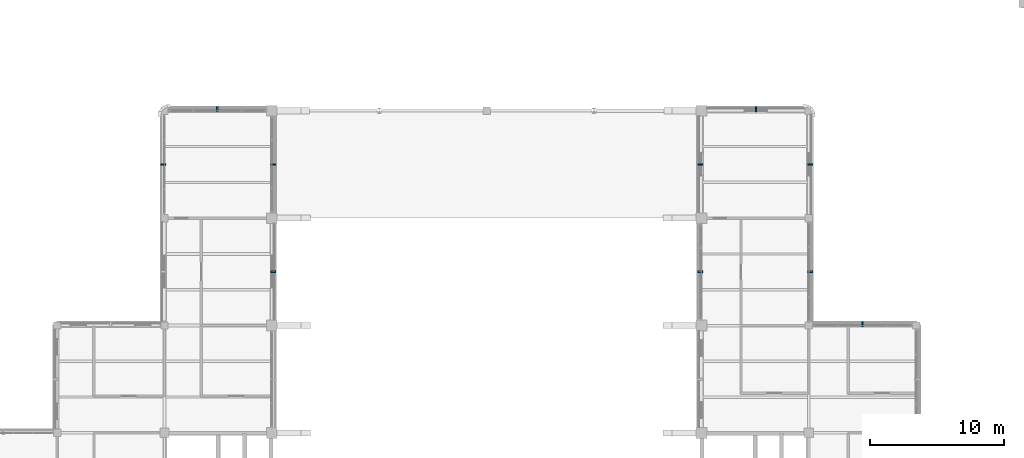
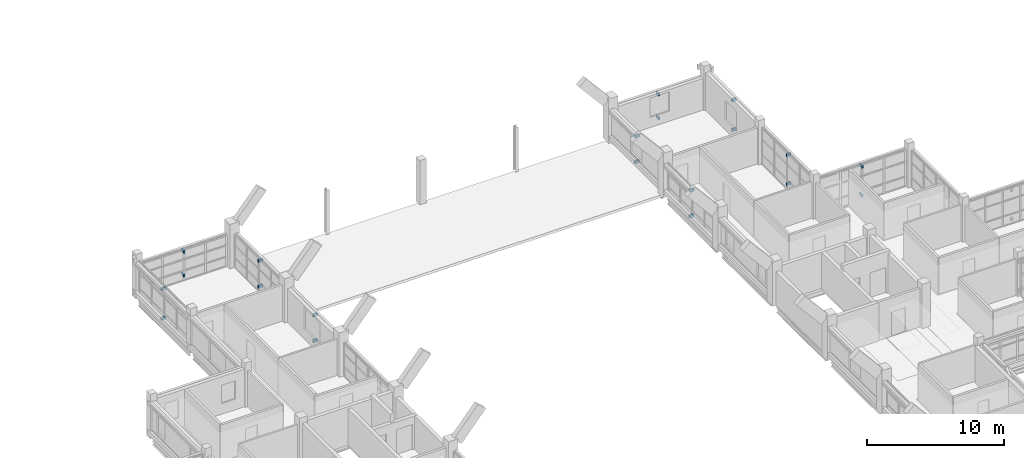
# One storey, part 80 of 92: 20 discrete accessories.
"""IFC4 building model written with IfcOpenShell, lengths in metres."""

import ifcopenshell
import ifcopenshell.guid

model = None  # the IFC model being written
_history = None  # IfcOwnerHistory: only IFC2X3 demands one
_inside = {}  # id of a spatial element -> (the spatial element, [elements in it])
_under = {}  # id of a project, library or spatial element -> (it, [spatial elements below it])
_declared = {}  # id of a project -> (the project, [libraries it declares])
_typed = {}  # id of a type object -> (the type object, [elements of that type])
_made_of = {}  # id of a material, layer set ... -> (it, [elements and type objects made of it])


def new_model(schema):
    """Start an empty IFC model of exactly this schema.

    Asked for "IFC4X3", IfcOpenShell would pick the latest addendum, in which some entities
    have other attributes; the version numbers below select the first issue.
    IFC2X3 requires an IfcOwnerHistory on every rooted entity: one is made here for all.
    """
    global model, _history
    if schema == "IFC4X3":
        model = ifcopenshell.file(schema_version=(4, 3, 0, 0))
    else:
        model = ifcopenshell.file(schema=schema)
    _inside.clear()
    _under.clear()
    _declared.clear()
    _typed.clear()
    _made_of.clear()
    _history = None
    if model.schema == "IFC2X3":
        org = make("IfcOrganization", Name="unknown")
        user = make(
            "IfcPersonAndOrganization",
            ThePerson=make("IfcPerson", FamilyName="unknown"),
            TheOrganization=org,
        )
        app = make(
            "IfcApplication",
            ApplicationDeveloper=org,
            Version="unknown",
            ApplicationFullName="unknown",
            ApplicationIdentifier="unknown",
        )
        _history = make(
            "IfcOwnerHistory",
            OwningUser=user,
            OwningApplication=app,
            ChangeAction="ADDED",
            CreationDate=0,
        )
    return model


def make(cls, **values):
    """One entity of the class cls with the attributes given. An attribute that is None is left unset."""
    return model.create_entity(
        cls, **{name: value for name, value in values.items() if value is not None}
    )


def rooted(cls, **values):
    """An entity with a GlobalId (a new one), such as an element, a storey or a relation."""
    return make(cls, GlobalId=ifcopenshell.guid.new(), OwnerHistory=_history, **values)


def si_unit(unit_type, name, prefix=None):
    """IfcSIUnit, for example si_unit("LENGTHUNIT", "METRE", prefix="MILLI")."""
    return make("IfcSIUnit", UnitType=unit_type, Prefix=prefix, Name=name)


def derived_unit(unit_type, elements):
    """IfcDerivedUnit: a product of units, each with its exponent."""
    return make(
        "IfcDerivedUnit",
        Elements=[
            make("IfcDerivedUnitElement", Unit=unit, Exponent=power)
            for unit, power in elements
        ],
        UnitType=unit_type,
    )


def assignment(units):
    """IfcUnitAssignment: the units of a project."""
    return None if units is None else make("IfcUnitAssignment", Units=units)


def point(xyz):
    """IfcCartesianPoint."""
    return None if xyz is None else make("IfcCartesianPoint", Coordinates=xyz)


def direction(xyz):
    """IfcDirection."""
    return None if xyz is None else make("IfcDirection", DirectionRatios=xyz)


def frame(location, z_axis=None, x_axis=None):
    """IfcAxis2Placement3D, a coordinate frame: its origin and axes. An axis left out is left unset."""
    return make(
        "IfcAxis2Placement3D",
        Location=point(location),
        Axis=direction(z_axis),
        RefDirection=direction(x_axis),
    )


def frame_2d(location, x_axis=None):
    """IfcAxis2Placement2D, a coordinate frame in the plane: its origin and x axis."""
    return make(
        "IfcAxis2Placement2D", Location=point(location), RefDirection=direction(x_axis)
    )


def origin():
    """The frame at (0, 0, 0) with its axes left unset."""
    return frame((0.0, 0.0, 0.0))


def origin_2d():
    """The frame at (0, 0) in the plane with its x axis left unset."""
    return frame_2d((0.0, 0.0))


def place(relative_to, where):
    """IfcLocalPlacement: puts the frame where relative to a parent placement (None: the world)."""
    return make(
        "IfcLocalPlacement", PlacementRelTo=relative_to, RelativePlacement=where
    )


def context(
    kind, dimensions, precision=None, world=None, true_north=None, identifier=None
):
    """IfcGeometricRepresentationContext, for example the 3D "Model" context."""
    return make(
        "IfcGeometricRepresentationContext",
        ContextIdentifier=identifier,
        ContextType=kind,
        CoordinateSpaceDimension=dimensions,
        Precision=precision,
        WorldCoordinateSystem=world,
        TrueNorth=true_north,
    )


def subcontext(parent, identifier, kind, view, scale=None):
    """IfcGeometricRepresentationSubContext, for example "Body" below "Model"."""
    return make(
        "IfcGeometricRepresentationSubContext",
        ContextIdentifier=identifier,
        ContextType=kind,
        ParentContext=parent,
        TargetScale=scale,
        TargetView=view,
    )


def project(units=None, contexts=None):
    """IfcProject with its units and contexts."""
    return rooted(
        "IfcProject",
        Name="project",
        RepresentationContexts=contexts,
        UnitsInContext=assignment(units),
    )


def spatial(cls, under=None, at=None, **own):
    """A site, building, storey or space (cls), placed at a placement, below another one or the project."""
    s = rooted(cls, ObjectPlacement=at, **own)
    if under is not None:
        _under.setdefault(under.id(), (under, []))[1].append(s)
    return s


def profile(cls, at=None, kind="AREA", **sizes):
    """A parametric profile (cls). Its sizes go by their IFC names, for example OverallWidth=200.0."""
    return make(cls, ProfileType=kind, Position=at, **sizes)


def rectangle(**sizes):
    """IfcRectangleProfileDef."""
    return profile("IfcRectangleProfileDef", **sizes)


def extrude(swept, where, along, depth):
    """IfcExtrudedAreaSolid: the profile swept, set in the frame where, extruded along a direction by depth."""
    return make(
        "IfcExtrudedAreaSolid",
        SweptArea=swept,
        Position=where,
        ExtrudedDirection=direction(along),
        Depth=depth,
    )


def shape(context_of_items, identifier, shape_type, items):
    """IfcShapeRepresentation: the items that make up one representation, for example the "Body"."""
    return make(
        "IfcShapeRepresentation",
        ContextOfItems=context_of_items,
        RepresentationIdentifier=identifier,
        RepresentationType=shape_type,
        Items=items,
    )


def material(Name=None, Category=None):
    """IfcMaterial."""
    return make("IfcMaterial", Name=Name, Category=Category)


def made_of(thing, what):
    """Note that an element or type object is made of a material, layer set ...; save() writes the relation."""
    if what is not None:
        _made_of.setdefault(what.id(), (what, []))[1].append(thing)
    return thing


def type_object(cls, material=None, **own):
    """A type object (cls), such as IfcWallType, which elements share."""
    return made_of(rooted(cls, **own), material)


def element(
    cls,
    number,
    at=None,
    inside=None,
    cuts=None,
    type_object=None,
    material=None,
    context=None,
    identifier="Body",
    shape_type=None,
    held_by="IfcProductDefinitionShape",
    body=None,
    shapes=None,
    **own,
):
    """One element of the class cls, such as IfcWall. Its Tag is "e" and its number.

    at: its placement. inside: the storey or other place that contains it. cuts: it is an
    opening in that element (IfcRelVoidsElement). A single representation is given by context,
    identifier, shape_type and body (its items); several are given by shapes. held_by: the class
    of the entity that holds the representations. save() writes the other relations.
    """
    e = rooted(cls, Tag="e%d" % number, ObjectPlacement=at, **own)
    if body is not None:
        shapes = [shape(context, identifier, shape_type, body)]
    if shapes is not None:
        e.Representation = make(held_by, Representations=shapes)
    if inside is not None:
        _inside.setdefault(inside.id(), (inside, []))[1].append(e)
    if cuts is not None:
        rooted(
            "IfcRelVoidsElement", RelatingBuildingElement=cuts, RelatedOpeningElement=e
        )
    if type_object is not None:
        _typed.setdefault(type_object.id(), (type_object, []))[1].append(e)
    return made_of(e, material)


def aggregate(whole, parts):
    """IfcRelAggregates: a whole, such as a stair, and the parts it consists of."""
    return rooted("IfcRelAggregates", RelatingObject=whole, RelatedObjects=parts)


def save(model, path):
    """Write the relations noted so far, then the file.

    IfcRelAggregates (storeys below a building ...), IfcRelContainedInSpatialStructure (elements
    in a storey), IfcRelDefinesByType, IfcRelAssociatesMaterial and IfcRelDeclares: one each for
    every whole, place, type object, material and project.
    """
    for whole, parts in _under.values():
        aggregate(whole, parts)
    for where, things in _inside.values():
        rooted(
            "IfcRelContainedInSpatialStructure",
            RelatedElements=things,
            RelatingStructure=where,
        )
    for kind, things in _typed.values():
        rooted("IfcRelDefinesByType", RelatedObjects=things, RelatingType=kind)
    for what, things in _made_of.values():
        rooted("IfcRelAssociatesMaterial", RelatedObjects=things, RelatingMaterial=what)
    for by, libraries in _declared.values():
        rooted("IfcRelDeclares", RelatingContext=by, RelatedDefinitions=libraries)
    model.write(path)


model = new_model("IFC4")

# Units and contexts
model_context = context("Model", 3, precision=1e-05, world=origin(), true_north=direction((0.0, 1.0)))
body_context = subcontext(model_context, "Body", "Model", "MODEL_VIEW")
ifc_project = project(units=[si_unit("LENGTHUNIT", "METRE"), si_unit("AREAUNIT", "SQUARE_METRE"), si_unit("VOLUMEUNIT", "CUBIC_METRE"), si_unit("PLANEANGLEUNIT", "RADIAN"), si_unit("MASSUNIT", "GRAM", prefix="KILO"), derived_unit("THERMALTRANSMITTANCEUNIT", [(si_unit("MASSUNIT", "GRAM", prefix="KILO"), 1), (si_unit("TIMEUNIT", "SECOND"), -3), (si_unit("THERMODYNAMICTEMPERATUREUNIT", "KELVIN"), -1)])], contexts=[model_context])

# Site, building, storey
site_placement = place(None, origin())
site = spatial("IfcSite", under=ifc_project, at=site_placement, CompositionType="ELEMENT")
building_placement = place(site_placement, origin())
building = spatial("IfcBuilding", under=site, at=building_placement, Name="Veyamyaing Civic Hall", CompositionType="ELEMENT")
storey_placement = place(building_placement, frame((0.0, 0.0, 17.820068359375)))
storey = spatial("IfcBuildingStorey", under=building, at=storey_placement, Name="L04", CompositionType="ELEMENT", Elevation=17.820068359375)

# Discrete accessories
ifc_material = material(Name="Steel S355J2", Category="steel")
discrete_accessory_type = type_object("IfcDiscreteAccessoryType", Name="BK-01", PredefinedType="BRACKET", material=ifc_material)
for number, where, z_axis, x_axis, name in (
    (1, (72.10009765625, 68.0, 2.662109375), (0.0, 0.0, 1.0), (1.0, 0.0, 0.0), "Sunshade anchor bracket BK-01 L04 E 9.9"),
    (2, (72.10009765625, 68.0, 0.35986328125), (0.0, 0.0, 1.0), (1.0, 0.0, 0.0), "Lower ribbon anchor bracket BK-01 L04 E 9.9"),
    (3, (67.9375, 80.10009765625, 2.47705078125), (0.0, 0.0, 1.0), (0.0, 1.0, 0.0), "Sunshade anchor bracket BK-01 L04 N 9.10"),
    (4, (67.9375, 80.10009765625, 0.35986328125), (0.0, 0.0, 1.0), (0.0, 1.0, 0.0), "Lower ribbon anchor bracket BK-01 L04 N 9.10"),
    (5, (63.89990234375, 76.0, 3.0087890625), (0.0, 0.0, 1.0), (-1.0, 0.0, 0.0), "Sunshade anchor bracket BK-01 L04 W 9.10"),
    (6, (63.89990234375, 76.0, 0.35986328125), (0.0, 0.0, 1.0), (-1.0, 0.0, 0.0), "Lower ribbon anchor bracket BK-01 L04 W 9.10"),
    (7, (72.10009765625, 76.0, 2.662109375), (0.0, 0.0, 1.0), (1.0, 0.0, 0.0), "Sunshade anchor bracket BK-01 L04 E 9.10"),
    (8, (72.10009765625, 76.0, 0.35986328125), (0.0, 0.0, 1.0), (1.0, 0.0, 0.0), "Lower ribbon anchor bracket BK-01 L04 E 9.10"),
    (9, (103.89990234375, 68.0, 2.662109375), (0.0, 0.0, 1.0), (-1.0, 0.0, 0.0), "Sunshade anchor bracket BK-01 L04 W 14.9"),
    (10, (103.89990234375, 68.0, 0.35986328125), (0.0, 0.0, 1.0), (-1.0, 0.0, 0.0), "Lower ribbon anchor bracket BK-01 L04 W 14.9"),
    (11, (112.10009765625, 68.0, 2.94873046875), (0.0, 0.0, 1.0), (1.0, 0.0, 0.0), "Sunshade anchor bracket BK-01 L04 E 14.9"),
    (12, (112.10009765625, 68.0, 0.35986328125), (0.0, 0.0, 1.0), (1.0, 0.0, 0.0), "Lower ribbon anchor bracket BK-01 L04 E 14.9"),
    (13, (108.0625, 80.10009765625, 2.47705078125), (0.0, 0.0, 1.0), (0.0, 1.0, 0.0), "Sunshade anchor bracket BK-01 L04 N 14.10"),
    (14, (108.0625, 80.10009765625, 0.35986328125), (0.0, 0.0, 1.0), (0.0, 1.0, 0.0), "Lower ribbon anchor bracket BK-01 L04 N 14.10"),
    (15, (103.89990234375, 76.0, 2.662109375), (0.0, 0.0, 1.0), (-1.0, 0.0, 0.0), "Sunshade anchor bracket BK-01 L04 W 14.10"),
    (16, (103.89990234375, 76.0, 0.35986328125), (0.0, 0.0, 1.0), (-1.0, 0.0, 0.0), "Lower ribbon anchor bracket BK-01 L04 W 14.10"),
    (17, (112.10009765625, 76.0, 3.01171875), (0.0, 0.0, 1.0), (1.0, 0.0, 0.0), "Sunshade anchor bracket BK-01 L04 E 14.10"),
    (18, (112.10009765625, 76.0, 0.35986328125), (0.0, 0.0, 1.0), (1.0, 0.0, 0.0), "Lower ribbon anchor bracket BK-01 L04 E 14.10"),
    (19, (116.0, 64.10009765625, 2.94873046875), (0.0, 0.0, 1.0), (0.0, 1.0, 0.0), "Sunshade anchor bracket BK-01 L04 N 15.8"),
    (20, (116.0, 64.10009765625, 0.35986328125), (0.0, 0.0, 1.0), (0.0, 1.0, 0.0), "Lower ribbon anchor bracket BK-01 L04 N 15.8"),
):
    element("IfcDiscreteAccessory", number, at=place(storey_placement, frame(where, z_axis=z_axis, x_axis=x_axis)), inside=storey, type_object=discrete_accessory_type, Name=name, PredefinedType="BRACKET", context=body_context, shape_type="SweptSolid", body=[
        extrude(rectangle(XDim=0.3798828125, YDim=0.139892578125, at=origin_2d()), origin(), (0.0, 0.0, 1.0), 0.239990234375),
    ])

save(model, "model.ifc")
